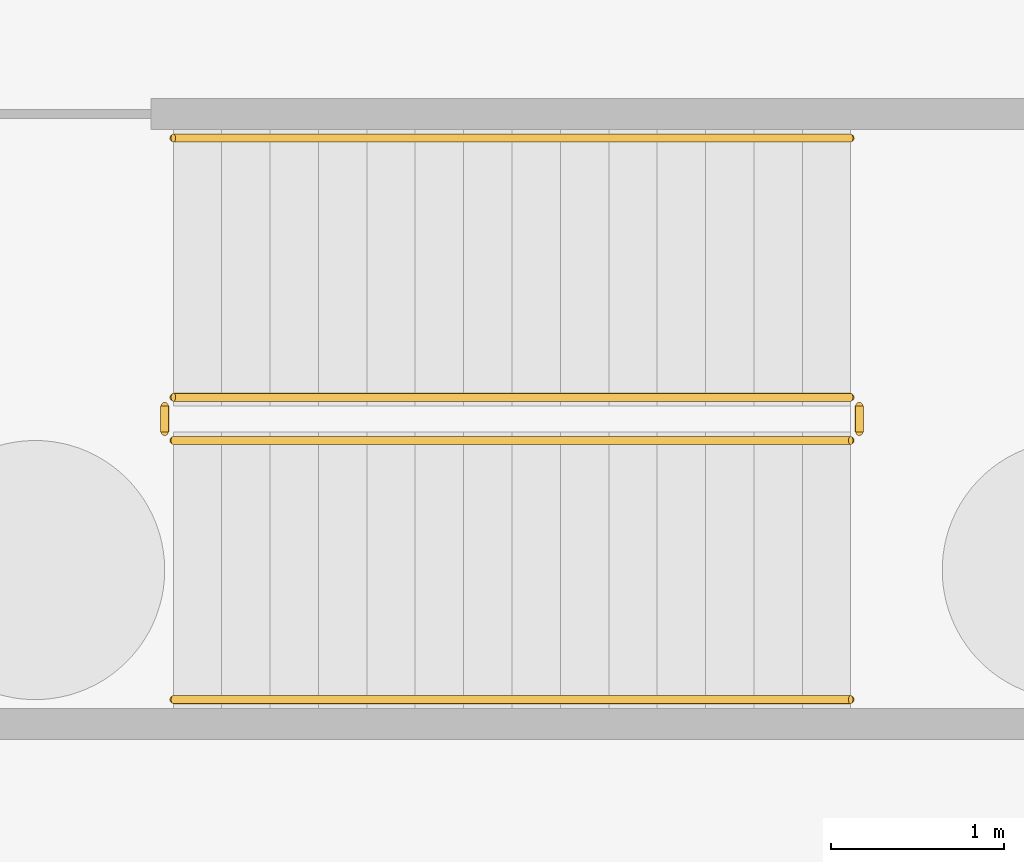
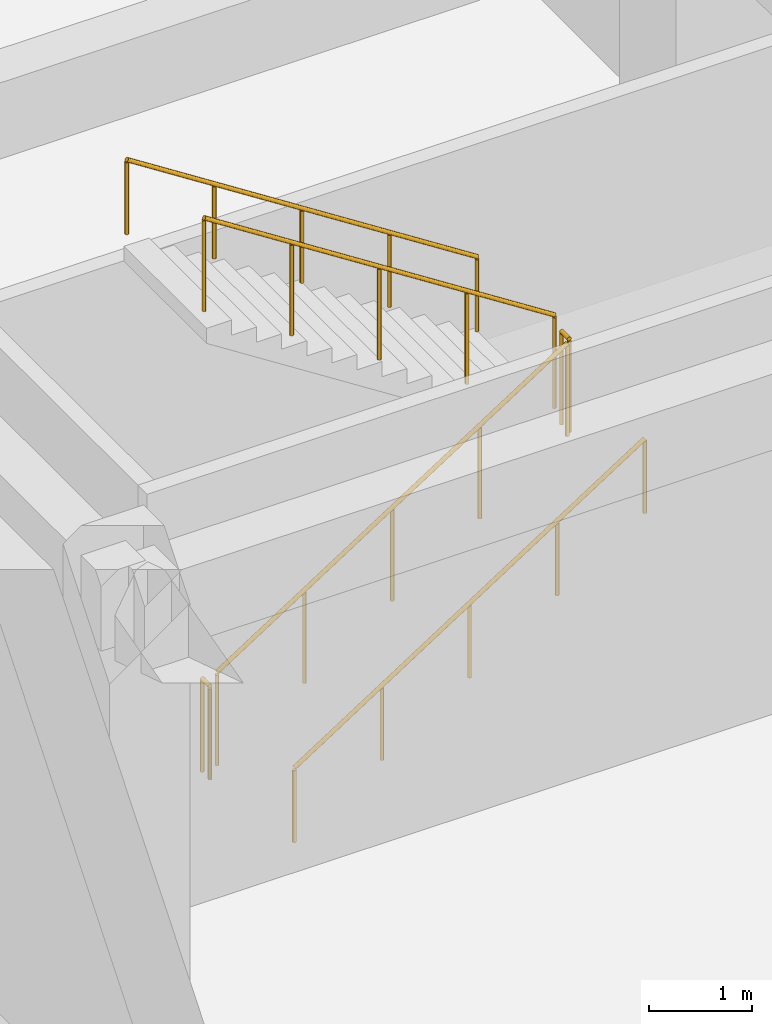
# One storey, part 13 of 18: 6 railings.
"""IFC4 building model written with IfcOpenShell, lengths in metres."""

from ifc_helpers import new_model, si_unit, direction, frame, origin, origin_2d, place, context, subcontext, project, spatial, circle, extrude, material, type_object, element, save


model = new_model("IFC4")

# Units and contexts
model_context = context("Model", 3, precision=1e-05, world=origin(), true_north=direction((0.0, 1.0)))
body_context = subcontext(model_context, "Body", "Model", "MODEL_VIEW")
ifc_project = project(units=[si_unit("LENGTHUNIT", "METRE"), si_unit("AREAUNIT", "SQUARE_METRE"), si_unit("VOLUMEUNIT", "CUBIC_METRE"), si_unit("PLANEANGLEUNIT", "RADIAN"), si_unit("MASSUNIT", "GRAM", prefix="KILO")], contexts=[model_context])

# Site, building, storey
site_placement = place(None, origin())
site = spatial("IfcSite", under=ifc_project, at=site_placement, CompositionType="ELEMENT")
building_placement = place(site_placement, origin())
building = spatial("IfcBuilding", under=site, at=building_placement, Name="Saevonmaru Cultural Tower", CompositionType="ELEMENT")
storey_placement = place(building_placement, frame((0.0, 0.0, -10.800048828125)))
storey = spatial("IfcBuildingStorey", under=building, at=storey_placement, Name="B2", CompositionType="ELEMENT", Elevation=-10.800048828125)

# Railings
ifc_material_1 = material(Name="Architectural Painted Steel", Category="steel")
railing_type_1 = type_object("IfcRailingType", Name="RL-STAIR-GUARD", PredefinedType="GUARDRAIL", material=ifc_material_1)
railing_1_placement = place(storey_placement, frame((3.800048828125, 10.75, 0.179931640625)))
element("IfcRailing", 1, at=railing_1_placement, inside=storey, type_object=railing_type_1, Name="B2 SST-1 stair guard 1", PredefinedType="GUARDRAIL", context=body_context, shape_type="SweptSolid", body=[
    extrude(circle(Radius=0.02392578125, at=origin_2d()), frame((0.0, 0.0, 1.09619140625), z_axis=(0.841171666519, 0.0, 0.540768182723), x_axis=(0.0, 1.0, 0.0)), (0.0, 0.0, 1.0), 4.66015625),
    extrude(circle(Radius=0.02099609375, at=origin_2d()), origin(), (0.0, 0.0, 1.0), 1.072021484375),
    extrude(circle(Radius=0.02099609375, at=origin_2d()), frame((0.97998046875, 0.0, 0.6298828125)), (0.0, 0.0, 1.0), 1.072021484375),
    extrude(circle(Radius=0.02099609375, at=origin_2d()), frame((1.9599609375, 0.0, 1.260009765625)), (0.0, 0.0, 1.0), 1.072021484375),
    extrude(circle(Radius=0.02099609375, at=origin_2d()), frame((2.93994140625, 0.0, 1.89013671875)), (0.0, 0.0, 1.0), 1.072021484375),
    extrude(circle(Radius=0.02099609375, at=origin_2d()), frame((3.919921875, 0.0, 2.52001953125)), (0.0, 0.0, 1.0), 1.072021484375),
])
railing_2_placement = place(storey_placement, frame((7.77001953125, 10.800048828125, 2.699951171875)))
element("IfcRailing", 2, at=railing_2_placement, inside=storey, type_object=railing_type_1, Name="B2 SST-1 stair guard 2", PredefinedType="GUARDRAIL", context=body_context, shape_type="SweptSolid", body=[
    extrude(circle(Radius=0.02392578125, at=origin_2d()), frame((0.0, 0.0, 1.09619140625), z_axis=(0.0, 1.0, 0.0), x_axis=(-1.0, 0.0, 0.0)), (0.0, 0.0, 1.0), 0.14990234375),
    extrude(circle(Radius=0.02099609375, at=origin_2d()), origin(), (0.0, 0.0, 1.0), 1.072021484375),
    extrude(circle(Radius=0.02099609375, at=origin_2d()), frame((0.0, 0.14990234375, 0.0)), (0.0, 0.0, 1.0), 1.072021484375),
])
railing_3_placement = place(storey_placement, frame((7.719970703125, 11.0, 2.880126953125)))
element("IfcRailing", 3, at=railing_3_placement, inside=storey, type_object=railing_type_1, Name="B2 SST-1 stair guard 3", PredefinedType="GUARDRAIL", context=body_context, shape_type="SweptSolid", body=[
    extrude(circle(Radius=0.02392578125, at=origin_2d()), frame((0.0, 0.0, 1.09619140625), z_axis=(-0.841171666519, 0.0, 0.540768182723), x_axis=(0.0, -1.0, 0.0)), (0.0, 0.0, 1.0), 4.66015625),
    extrude(circle(Radius=0.02099609375, at=origin_2d()), origin(), (0.0, 0.0, 1.0), 1.072021484375),
    extrude(circle(Radius=0.02099609375, at=origin_2d()), frame((-0.97998046875, 0.0, 0.6298828125)), (0.0, 0.0, 1.0), 1.072021484375),
    extrude(circle(Radius=0.02099609375, at=origin_2d()), frame((-1.9599609375, 0.0, 1.260009765625)), (0.0, 0.0, 1.0), 1.072021484375),
    extrude(circle(Radius=0.02099609375, at=origin_2d()), frame((-2.93994140625, 0.0, 1.89013671875)), (0.0, 0.0, 1.0), 1.072021484375),
    extrude(circle(Radius=0.02099609375, at=origin_2d()), frame((-3.919921875, 0.0, 2.52001953125)), (0.0, 0.0, 1.0), 1.072021484375),
])
railing_4_placement = place(storey_placement, frame((3.75, 10.800048828125, 0.0)))
element("IfcRailing", 4, at=railing_4_placement, inside=storey, type_object=railing_type_1, Name="B2 SST-1 stair guard 4", PredefinedType="GUARDRAIL", context=body_context, shape_type="SweptSolid", body=[
    extrude(circle(Radius=0.02392578125, at=origin_2d()), frame((0.0, 0.0, 1.09619140625), z_axis=(0.0, 1.0, 0.0), x_axis=(-1.0, 0.0, 0.0)), (0.0, 0.0, 1.0), 0.14990234375),
    extrude(circle(Radius=0.02099609375, at=origin_2d()), origin(), (0.0, 0.0, 1.0), 1.072021484375),
    extrude(circle(Radius=0.02099609375, at=origin_2d()), frame((0.0, 0.14990234375, 0.0)), (0.0, 0.0, 1.0), 1.072021484375),
])
ifc_material_2 = material(Name="Satin Bronze Anodised Aluminium", Category="aluminium")
railing_type_2 = type_object("IfcRailingType", Name="RL-STAIR-HANDRAIL", PredefinedType="HANDRAIL", material=ifc_material_2)
railing_5_placement = place(storey_placement, frame((3.800048828125, 9.25, 0.179931640625)))
element("IfcRailing", 5, at=railing_5_placement, inside=storey, type_object=railing_type_2, Name="B2 SST-1 stair handrail 1", PredefinedType="HANDRAIL", context=body_context, shape_type="SweptSolid", body=[
    extrude(circle(Radius=0.02392578125, at=origin_2d()), frame((0.0, 0.0, 0.8759765625), z_axis=(0.841171666519, 0.0, 0.540768182723), x_axis=(0.0, 1.0, 0.0)), (0.0, 0.0, 1.0), 4.66015625),
    extrude(circle(Radius=0.02099609375, at=origin_2d()), origin(), (0.0, 0.0, 1.0), 0.851806640625),
    extrude(circle(Radius=0.02099609375, at=origin_2d()), frame((0.97998046875, 0.0, 0.6298828125)), (0.0, 0.0, 1.0), 0.851806640625),
    extrude(circle(Radius=0.02099609375, at=origin_2d()), frame((1.9599609375, 0.0, 1.260009765625)), (0.0, 0.0, 1.0), 0.851806640625),
    extrude(circle(Radius=0.02099609375, at=origin_2d()), frame((2.93994140625, 0.0, 1.89013671875)), (0.0, 0.0, 1.0), 0.851806640625),
    extrude(circle(Radius=0.02099609375, at=origin_2d()), frame((3.919921875, 0.0, 2.52001953125)), (0.0, 0.0, 1.0), 0.851806640625),
])
railing_6_placement = place(storey_placement, frame((7.719970703125, 12.5, 2.880126953125)))
element("IfcRailing", 6, at=railing_6_placement, inside=storey, type_object=railing_type_2, Name="B2 SST-1 stair handrail 2", PredefinedType="HANDRAIL", context=body_context, shape_type="SweptSolid", body=[
    extrude(circle(Radius=0.02392578125, at=origin_2d()), frame((0.0, 0.0, 0.8759765625), z_axis=(-0.841171666519, 0.0, 0.540768182723), x_axis=(0.0, -1.0, 0.0)), (0.0, 0.0, 1.0), 4.66015625),
    extrude(circle(Radius=0.02099609375, at=origin_2d()), origin(), (0.0, 0.0, 1.0), 0.851806640625),
    extrude(circle(Radius=0.02099609375, at=origin_2d()), frame((-0.97998046875, 0.0, 0.6298828125)), (0.0, 0.0, 1.0), 0.851806640625),
    extrude(circle(Radius=0.02099609375, at=origin_2d()), frame((-1.9599609375, 0.0, 1.260009765625)), (0.0, 0.0, 1.0), 0.851806640625),
    extrude(circle(Radius=0.02099609375, at=origin_2d()), frame((-2.93994140625, 0.0, 1.89013671875)), (0.0, 0.0, 1.0), 0.851806640625),
    extrude(circle(Radius=0.02099609375, at=origin_2d()), frame((-3.919921875, 0.0, 2.52001953125)), (0.0, 0.0, 1.0), 0.851806640625),
])

save(model, "model.ifc")
